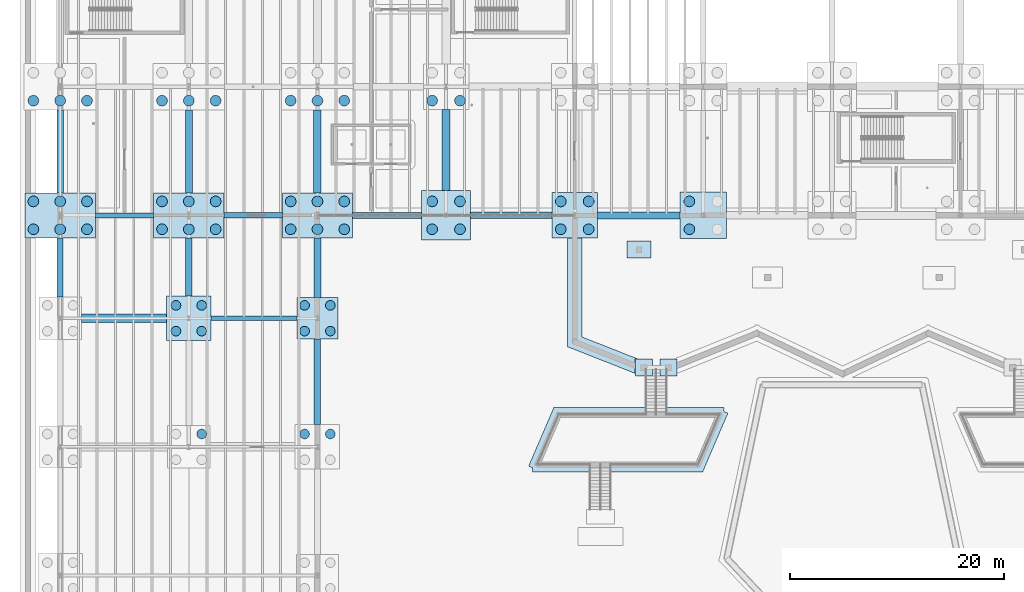
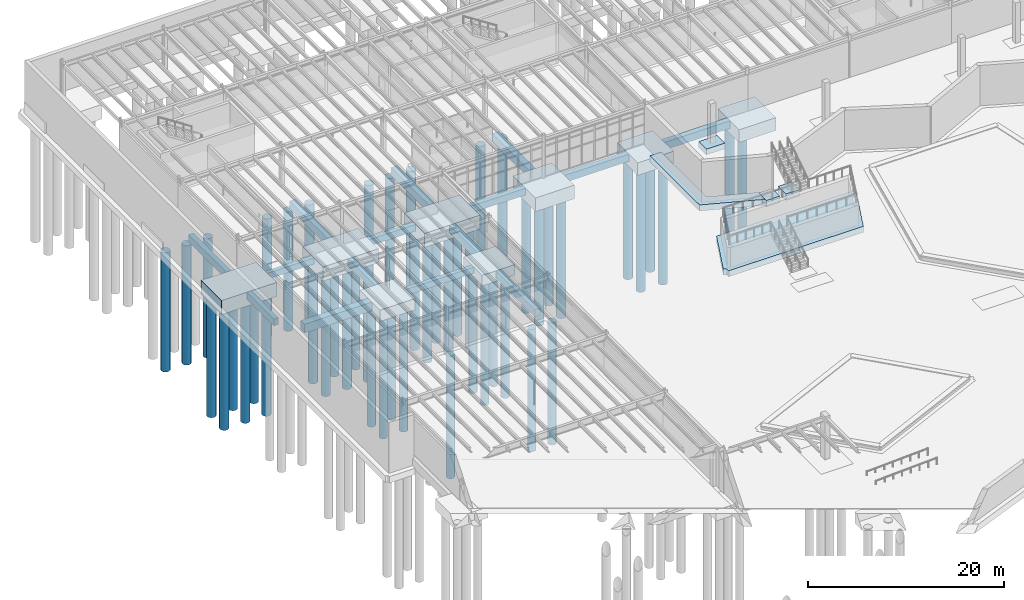
# One storey, part 3 of 67: 50 piles, 28 footings.
"""IFC4 building model written with IfcOpenShell, lengths in metres."""

from ifc_helpers import new_model, si_unit, direction, frame, origin, origin_2d, place, context, subcontext, project, spatial, polyline, rectangle, circle, outline, extrude, material, material_profile, profile_set, type_object, element, save


model = new_model("IFC4")

# Units and contexts
model_context = context("Model", 3, precision=1e-05, world=origin(), true_north=direction((0.0, 1.0)))
body_context = subcontext(model_context, "Body", "Model", "MODEL_VIEW")
ifc_project = project(units=[si_unit("LENGTHUNIT", "METRE"), si_unit("AREAUNIT", "SQUARE_METRE"), si_unit("VOLUMEUNIT", "CUBIC_METRE"), si_unit("PLANEANGLEUNIT", "RADIAN"), si_unit("MASSUNIT", "GRAM", prefix="KILO")], contexts=[model_context])

# Site, building, storey
site_placement = place(None, origin())
site = spatial("IfcSite", under=ifc_project, at=site_placement, CompositionType="ELEMENT")
building_placement = place(site_placement, origin())
building = spatial("IfcBuilding", under=site, at=building_placement, Name="Zlatogorsky Bluff Art Gallery", CompositionType="ELEMENT")
storey_placement = place(building_placement, frame((0.0, 0.0, -5.39990234375)))
storey = spatial("IfcBuildingStorey", under=building, at=storey_placement, Name="B1", CompositionType="ELEMENT", Elevation=-5.39990234375)

# Piles
ifc_material = material(Name="Concrete C35/45", Category="concrete")
ifc_material_profile_1 = material_profile(ifc_material, circle(Radius=0.5, at=origin_2d()), Name="BORED PILE D1000")
ifc_profile_set_1 = profile_set([ifc_material_profile_1], Name="Concrete C35/45")
pile_type_1 = type_object("IfcPileType", Name="Bored Pile D1000 C35/45", PredefinedType="BORED", material=ifc_profile_set_1)
for number, where, z_axis, x_axis, name in (
    (1, (-2.5, 82.699951171875, -2.050048828125), (0.0, 0.0, -1.0), (1.0, 0.0, 0.0), "Bored pile PL-02 00.08.1"),
    (2, (0.0, 82.699951171875, -2.050048828125), (0.0, 0.0, -1.0), (1.0, 0.0, 0.0), "Bored pile PL-02 00.08.2"),
    (3, (2.5, 82.699951171875, -2.050048828125), (0.0, 0.0, -1.0), (1.0, 0.0, 0.0), "Bored pile PL-02 00.08.3"),
    (4, (-2.5, 85.300048828125, -2.050048828125), (0.0, 0.0, -1.0), (1.0, 0.0, 0.0), "Bored pile PL-02 00.08.4"),
    (5, (0.0, 85.300048828125, -2.050048828125), (0.0, 0.0, -1.0), (1.0, 0.0, 0.0), "Bored pile PL-02 00.08.5"),
    (6, (2.5, 85.300048828125, -2.050048828125), (0.0, 0.0, -1.0), (1.0, 0.0, 0.0), "Bored pile PL-02 00.08.6"),
):
    element("IfcPile", number, at=place(storey_placement, frame(where, z_axis=z_axis, x_axis=x_axis)), inside=storey, type_object=pile_type_1, Name=name, PredefinedType="BORED", context=body_context, shape_type="SweptSolid", body=[
        extrude(circle(Radius=0.5, at=origin_2d()), origin(), (0.0, 0.0, 1.0), 14.949951171875),
    ])
for number, where, z_axis, x_axis, name in (
    (7, (-2.5, 94.699951171875, -2.10009765625), (0.0, 0.0, -1.0), (1.0, 0.0, 0.0), "Bored pile PL-02 00.09.1"),
    (8, (0.0, 94.699951171875, -2.10009765625), (0.0, 0.0, -1.0), (1.0, 0.0, 0.0), "Bored pile PL-02 00.09.2"),
    (9, (2.5, 94.699951171875, -2.10009765625), (0.0, 0.0, -1.0), (1.0, 0.0, 0.0), "Bored pile PL-02 00.09.3"),
):
    element("IfcPile", number, at=place(storey_placement, frame(where, z_axis=z_axis, x_axis=x_axis)), inside=storey, type_object=pile_type_1, Name=name, PredefinedType="BORED", context=body_context, shape_type="SweptSolid", body=[
        extrude(circle(Radius=0.5, at=origin_2d()), origin(), (0.0, 0.0, 1.0), 14.89990234375),
    ])
for number, where, z_axis, x_axis, name in (
    (10, (9.5, 82.699951171875, -2.050048828125), (0.0, 0.0, -1.0), (1.0, 0.0, 0.0), "Bored pile PL-02 01.08.1"),
    (11, (12.0, 82.699951171875, -2.050048828125), (0.0, 0.0, -1.0), (1.0, 0.0, 0.0), "Bored pile PL-02 01.08.2"),
    (12, (14.5, 82.699951171875, -2.050048828125), (0.0, 0.0, -1.0), (1.0, 0.0, 0.0), "Bored pile PL-02 01.08.3"),
    (13, (9.5, 85.300048828125, -2.050048828125), (0.0, 0.0, -1.0), (1.0, 0.0, 0.0), "Bored pile PL-02 01.08.4"),
    (14, (12.0, 85.300048828125, -2.050048828125), (0.0, 0.0, -1.0), (1.0, 0.0, 0.0), "Bored pile PL-02 01.08.5"),
    (15, (14.5, 85.300048828125, -2.050048828125), (0.0, 0.0, -1.0), (1.0, 0.0, 0.0), "Bored pile PL-02 01.08.6"),
):
    element("IfcPile", number, at=place(storey_placement, frame(where, z_axis=z_axis, x_axis=x_axis)), inside=storey, type_object=pile_type_1, Name=name, PredefinedType="BORED", context=body_context, shape_type="SweptSolid", body=[
        extrude(circle(Radius=0.5, at=origin_2d()), origin(), (0.0, 0.0, 1.0), 14.949951171875),
    ])
for number, where, z_axis, x_axis, name in (
    (16, (9.5, 94.699951171875, -2.10009765625), (0.0, 0.0, -1.0), (1.0, 0.0, 0.0), "Bored pile PL-02 01.09.1"),
    (17, (12.0, 94.699951171875, -2.10009765625), (0.0, 0.0, -1.0), (1.0, 0.0, 0.0), "Bored pile PL-02 01.09.2"),
    (18, (14.5, 94.699951171875, -2.10009765625), (0.0, 0.0, -1.0), (1.0, 0.0, 0.0), "Bored pile PL-02 01.09.3"),
):
    element("IfcPile", number, at=place(storey_placement, frame(where, z_axis=z_axis, x_axis=x_axis)), inside=storey, type_object=pile_type_1, Name=name, PredefinedType="BORED", context=body_context, shape_type="SweptSolid", body=[
        extrude(circle(Radius=0.5, at=origin_2d()), origin(), (0.0, 0.0, 1.0), 14.89990234375),
    ])
for number, where, z_axis, x_axis, name in (
    (19, (21.5, 82.699951171875, -2.050048828125), (0.0, 0.0, -1.0), (1.0, 0.0, 0.0), "Bored pile PL-02 02.08.1"),
    (20, (24.0, 82.699951171875, -2.050048828125), (0.0, 0.0, -1.0), (1.0, 0.0, 0.0), "Bored pile PL-02 02.08.2"),
    (21, (26.5, 82.699951171875, -2.050048828125), (0.0, 0.0, -1.0), (1.0, 0.0, 0.0), "Bored pile PL-02 02.08.3"),
    (22, (21.5, 85.300048828125, -2.050048828125), (0.0, 0.0, -1.0), (1.0, 0.0, 0.0), "Bored pile PL-02 02.08.4"),
    (23, (24.0, 85.300048828125, -2.050048828125), (0.0, 0.0, -1.0), (1.0, 0.0, 0.0), "Bored pile PL-02 02.08.5"),
    (24, (26.5, 85.300048828125, -2.050048828125), (0.0, 0.0, -1.0), (1.0, 0.0, 0.0), "Bored pile PL-02 02.08.6"),
):
    element("IfcPile", number, at=place(storey_placement, frame(where, z_axis=z_axis, x_axis=x_axis)), inside=storey, type_object=pile_type_1, Name=name, PredefinedType="BORED", context=body_context, shape_type="SweptSolid", body=[
        extrude(circle(Radius=0.5, at=origin_2d()), origin(), (0.0, 0.0, 1.0), 14.949951171875),
    ])
for number, where, z_axis, x_axis, name in (
    (25, (21.5, 94.699951171875, -2.10009765625), (0.0, 0.0, -1.0), (1.0, 0.0, 0.0), "Bored pile PL-02 02.09.1"),
    (26, (24.0, 94.699951171875, -2.10009765625), (0.0, 0.0, -1.0), (1.0, 0.0, 0.0), "Bored pile PL-02 02.09.2"),
    (27, (26.5, 94.699951171875, -2.10009765625), (0.0, 0.0, -1.0), (1.0, 0.0, 0.0), "Bored pile PL-02 02.09.3"),
):
    element("IfcPile", number, at=place(storey_placement, frame(where, z_axis=z_axis, x_axis=x_axis)), inside=storey, type_object=pile_type_1, Name=name, PredefinedType="BORED", context=body_context, shape_type="SweptSolid", body=[
        extrude(circle(Radius=0.5, at=origin_2d()), origin(), (0.0, 0.0, 1.0), 14.89990234375),
    ])
for number, where, z_axis, x_axis, name in (
    (28, (34.699951171875, 82.699951171875, -2.0), (0.0, 0.0, -1.0), (1.0, 0.0, 0.0), "Bored pile PL-02 03.08.1"),
    (29, (34.699951171875, 85.300048828125, -2.0), (0.0, 0.0, -1.0), (1.0, 0.0, 0.0), "Bored pile PL-02 03.08.2"),
    (30, (37.300048828125, 82.699951171875, -2.0), (0.0, 0.0, -1.0), (1.0, 0.0, 0.0), "Bored pile PL-02 03.08.3"),
    (31, (37.300048828125, 85.300048828125, -2.0), (0.0, 0.0, -1.0), (1.0, 0.0, 0.0), "Bored pile PL-02 03.08.4"),
):
    element("IfcPile", number, at=place(storey_placement, frame(where, z_axis=z_axis, x_axis=x_axis)), inside=storey, type_object=pile_type_1, Name=name, PredefinedType="BORED", context=body_context, shape_type="SweptSolid", body=[
        extrude(circle(Radius=0.5, at=origin_2d()), origin(), (0.0, 0.0, 1.0), 15.0),
    ])
for number, where, z_axis, x_axis, name in (
    (32, (34.699951171875, 94.699951171875, -1.85009765625), (0.0, 0.0, -1.0), (1.0, 0.0, 0.0), "Bored pile PL-02 03.09.1"),
    (33, (37.300048828125, 94.699951171875, -1.85009765625), (0.0, 0.0, -1.0), (1.0, 0.0, 0.0), "Bored pile PL-02 03.09.3"),
    (34, (46.699951171875, 82.699951171875, -1.85009765625), (0.0, 0.0, -1.0), (1.0, 0.0, 0.0), "Bored pile PL-02 04.08.1"),
    (35, (46.699951171875, 85.300048828125, -1.85009765625), (0.0, 0.0, -1.0), (1.0, 0.0, 0.0), "Bored pile PL-02 04.08.2"),
    (36, (49.300048828125, 82.699951171875, -1.85009765625), (0.0, 0.0, -1.0), (1.0, 0.0, 0.0), "Bored pile PL-02 04.08.3"),
    (37, (49.300048828125, 85.300048828125, -1.85009765625), (0.0, 0.0, -1.0), (1.0, 0.0, 0.0), "Bored pile PL-02 04.08.4"),
):
    element("IfcPile", number, at=place(storey_placement, frame(where, z_axis=z_axis, x_axis=x_axis)), inside=storey, type_object=pile_type_1, Name=name, PredefinedType="BORED", context=body_context, shape_type="SweptSolid", body=[
        extrude(circle(Radius=0.5, at=origin_2d()), origin(), (0.0, 0.0, 1.0), 15.14990234375),
    ])
for number, where, z_axis, x_axis, name in (
    (38, (58.699951171875, 82.699951171875, -1.900146484375), (0.0, 0.0, -1.0), (1.0, 0.0, 0.0), "Bored pile PL-02 05.08.1"),
    (39, (58.699951171875, 85.300048828125, -1.900146484375), (0.0, 0.0, -1.0), (1.0, 0.0, 0.0), "Bored pile PL-02 05.08.2"),
):
    element("IfcPile", number, at=place(storey_placement, frame(where, z_axis=z_axis, x_axis=x_axis)), inside=storey, type_object=pile_type_1, Name=name, PredefinedType="BORED", context=body_context, shape_type="SweptSolid", body=[
        extrude(circle(Radius=0.5, at=origin_2d()), origin(), (0.0, 0.0, 1.0), 15.10009765625),
    ])
ifc_material_profile_2 = material_profile(ifc_material, circle(Radius=0.449951171875, at=origin_2d()), Name="BORED PILE D900")
ifc_profile_set_2 = profile_set([ifc_material_profile_2], Name="Concrete C35/45")
pile_type_2 = type_object("IfcPileType", Name="Bored Pile D900 C35/45", PredefinedType="BORED", material=ifc_profile_set_2)
pile_placement = place(storey_placement, frame((13.199951171875, 63.60009765625, -1.66015625), z_axis=(0.0, 0.0, -1.0), x_axis=(1.0, 0.0, 0.0)))
element("IfcPile", 40, at=pile_placement, inside=storey, type_object=pile_type_2, Name="Bored pile PL-01 01.06.4", PredefinedType="BORED", context=body_context, shape_type="SweptSolid", body=[
    extrude(circle(Radius=0.449951171875, at=origin_2d()), origin(), (0.0, 0.0, 1.0), 15.340087890625),
])
for number, where, z_axis, x_axis, name in (
    (41, (10.800048828125, 73.199951171875, -1.72021484375), (0.0, 0.0, -1.0), (1.0, 0.0, 0.0), "Bored pile PL-01 01.07.1"),
    (42, (10.800048828125, 75.60009765625, -1.72021484375), (0.0, 0.0, -1.0), (1.0, 0.0, 0.0), "Bored pile PL-01 01.07.2"),
    (43, (13.199951171875, 73.199951171875, -1.72021484375), (0.0, 0.0, -1.0), (1.0, 0.0, 0.0), "Bored pile PL-01 01.07.3"),
    (44, (13.199951171875, 75.60009765625, -1.72021484375), (0.0, 0.0, -1.0), (1.0, 0.0, 0.0), "Bored pile PL-01 01.07.4"),
    (45, (22.800048828125, 63.60009765625, -1.72021484375), (0.0, 0.0, -1.0), (1.0, 0.0, 0.0), "Bored pile PL-01 02.06.2"),
    (46, (25.199951171875, 63.60009765625, -1.72021484375), (0.0, 0.0, -1.0), (1.0, 0.0, 0.0), "Bored pile PL-01 02.06.4"),
):
    element("IfcPile", number, at=place(storey_placement, frame(where, z_axis=z_axis, x_axis=x_axis)), inside=storey, type_object=pile_type_2, Name=name, PredefinedType="BORED", context=body_context, shape_type="SweptSolid", body=[
        extrude(circle(Radius=0.449951171875, at=origin_2d()), origin(), (0.0, 0.0, 1.0), 15.280029296875),
    ])
for number, where, z_axis, x_axis, name in (
    (47, (22.800048828125, 73.199951171875, -1.6201171875), (0.0, 0.0, -1.0), (1.0, 0.0, 0.0), "Bored pile PL-01 02.07.1"),
    (48, (22.800048828125, 75.60009765625, -1.6201171875), (0.0, 0.0, -1.0), (1.0, 0.0, 0.0), "Bored pile PL-01 02.07.2"),
    (49, (25.199951171875, 73.199951171875, -1.6201171875), (0.0, 0.0, -1.0), (1.0, 0.0, 0.0), "Bored pile PL-01 02.07.3"),
    (50, (25.199951171875, 75.60009765625, -1.6201171875), (0.0, 0.0, -1.0), (1.0, 0.0, 0.0), "Bored pile PL-01 02.07.4"),
):
    element("IfcPile", number, at=place(storey_placement, frame(where, z_axis=z_axis, x_axis=x_axis)), inside=storey, type_object=pile_type_2, Name=name, PredefinedType="BORED", context=body_context, shape_type="SweptSolid", body=[
        extrude(circle(Radius=0.449951171875, at=origin_2d()), origin(), (0.0, 0.0, 1.0), 15.3798828125),
    ])

# Footings
footing_type_1 = type_object("IfcFootingType", Name="Foundation FB-01 450x750", PredefinedType="FOOTING_BEAM", material=ifc_material)
footing_1_placement = place(storey_placement, frame((0.0, 0.0, -1.150146484375)))
element("IfcFooting", 51, at=footing_1_placement, inside=storey, type_object=footing_type_1, Name="Ground tie beam FB-01 A-B/9", PredefinedType="FOOTING_BEAM", context=body_context, shape_type="SweptSolid", body=[
    extrude(outline(polyline([(3.27490234375, 83.77490234375), (8.72509765625, 83.77490234375), (8.72509765625, 84.22509765625), (3.27490234375, 84.22509765625), (3.27490234375, 83.77490234375)])), origin(), (0.0, 0.0, 1.0), 0.75),
])
footing_2_placement = place(storey_placement, frame((0.0, 0.0, -1.150146484375)))
element("IfcFooting", 52, at=footing_2_placement, inside=storey, type_object=footing_type_1, Name="Ground tie beam FB-01 B-C/8", PredefinedType="FOOTING_BEAM", context=body_context, shape_type="SweptSolid", body=[
    extrude(outline(polyline([(14.074951171875, 74.175048828125), (22.074951171875, 74.175048828125), (22.074951171875, 74.625), (14.074951171875, 74.625), (14.074951171875, 74.175048828125)])), origin(), (0.0, 0.0, 1.0), 0.75),
])
footing_type_2 = type_object("IfcFootingType", Name="Foundation FB-02 500x800", PredefinedType="FOOTING_BEAM", material=ifc_material)
footing_3_placement = place(storey_placement, frame((0.0, 0.0, -1.2001953125)))
element("IfcFooting", 53, at=footing_3_placement, inside=storey, type_object=footing_type_2, Name="Ground tie beam FB-02 B-C/9", PredefinedType="FOOTING_BEAM", context=body_context, shape_type="SweptSolid", body=[
    extrude(outline(polyline([(15.27490234375, 83.75), (20.72509765625, 83.75), (20.72509765625, 84.25), (15.27490234375, 84.25), (15.27490234375, 83.75)])), origin(), (0.0, 0.0, 1.0), 0.800048828125),
])
footing_type_3 = type_object("IfcFootingType", Name="Foundation FB-03 550x850", PredefinedType="FOOTING_BEAM", material=ifc_material)
footing_4_placement = place(storey_placement, frame((0.0, 0.0, -1.25)))
element("IfcFooting", 54, at=footing_4_placement, inside=storey, type_object=footing_type_3, Name="Ground tie beam FB-03 A/8-9", PredefinedType="FOOTING_BEAM", context=body_context, shape_type="SweptSolid", body=[
    extrude(outline(polyline([(-0.27490234375, 76.375), (0.27490234375, 76.375), (0.27490234375, 81.89990234375), (-0.27490234375, 81.89990234375), (-0.27490234375, 76.375)])), origin(), (0.0, 0.0, 1.0), 0.849853515625),
])
footing_5_placement = place(storey_placement, frame((0.0, 0.0, -1.25)))
element("IfcFooting", 55, at=footing_5_placement, inside=storey, type_object=footing_type_3, Name="Ground tie beam FB-03 C-D/9", PredefinedType="FOOTING_BEAM", context=body_context, shape_type="SweptSolid", body=[
    extrude(outline(polyline([(27.27490234375, 83.72509765625), (33.699951171875, 83.72509765625), (33.699951171875, 84.27490234375), (27.27490234375, 84.27490234375), (27.27490234375, 83.72509765625)])), origin(), (0.0, 0.0, 1.0), 0.849853515625),
])
footing_type_4 = type_object("IfcFootingType", Name="Foundation FB-04 600x900", PredefinedType="FOOTING_BEAM", material=ifc_material)
footing_6_placement = place(storey_placement, frame((0.0, 0.0, -1.300048828125)))
element("IfcFooting", 56, at=footing_6_placement, inside=storey, type_object=footing_type_4, Name="Ground tie beam FB-04 A/9-10", PredefinedType="FOOTING_BEAM", context=body_context, shape_type="SweptSolid", body=[
    extrude(outline(polyline([(-0.300048828125, 86.10009765625), (0.300048828125, 86.10009765625), (0.300048828125, 93.824951171875), (-0.300048828125, 93.824951171875), (-0.300048828125, 86.10009765625)])), origin(), (0.0, 0.0, 1.0), 0.89990234375),
])
footing_7_placement = place(storey_placement, frame((0.0, 0.0, -1.300048828125)))
element("IfcFooting", 57, at=footing_7_placement, inside=storey, type_object=footing_type_4, Name="Ground tie beam FB-04 B/8-9", PredefinedType="FOOTING_BEAM", context=body_context, shape_type="SweptSolid", body=[
    extrude(outline(polyline([(11.699951171875, 76.47509765625), (12.300048828125, 76.47509765625), (12.300048828125, 81.89990234375), (11.699951171875, 81.89990234375), (11.699951171875, 76.47509765625)])), origin(), (0.0, 0.0, 1.0), 0.89990234375),
])
footing_8_placement = place(storey_placement, frame((0.0, 0.0, -1.300048828125)))
element("IfcFooting", 58, at=footing_8_placement, inside=storey, type_object=footing_type_4, Name="Ground tie beam FB-04 C/7-8", PredefinedType="FOOTING_BEAM", context=body_context, shape_type="SweptSolid", body=[
    extrude(outline(polyline([(23.699951171875, 64.47509765625), (24.300048828125, 64.47509765625), (24.300048828125, 72.47509765625), (23.699951171875, 72.47509765625), (23.699951171875, 64.47509765625)])), origin(), (0.0, 0.0, 1.0), 0.89990234375),
])
footing_9_placement = place(storey_placement, frame((0.0, 0.0, -1.300048828125)))
element("IfcFooting", 59, at=footing_9_placement, inside=storey, type_object=footing_type_4, Name="Ground tie beam FB-04 D-E/9", PredefinedType="FOOTING_BEAM", context=body_context, shape_type="SweptSolid", body=[
    extrude(outline(polyline([(38.300048828125, 83.699951171875), (45.875, 83.699951171875), (45.875, 84.300048828125), (38.300048828125, 84.300048828125), (38.300048828125, 83.699951171875)])), origin(), (0.0, 0.0, 1.0), 0.89990234375),
])
footing_type_5 = type_object("IfcFootingType", Name="Foundation FB-05 650x950", PredefinedType="FOOTING_BEAM", material=ifc_material)
footing_10_placement = place(storey_placement, frame((0.0, 0.0, -1.35009765625)))
element("IfcFooting", 60, at=footing_10_placement, inside=storey, type_object=footing_type_5, Name="Ground tie beam FB-05 B/9-10", PredefinedType="FOOTING_BEAM", context=body_context, shape_type="SweptSolid", body=[
    extrude(outline(polyline([(11.675048828125, 86.10009765625), (12.324951171875, 86.10009765625), (12.324951171875, 93.824951171875), (11.675048828125, 93.824951171875), (11.675048828125, 86.10009765625)])), origin(), (0.0, 0.0, 1.0), 0.949951171875),
])
footing_11_placement = place(storey_placement, frame((0.0, 0.0, -1.35009765625)))
element("IfcFooting", 61, at=footing_11_placement, inside=storey, type_object=footing_type_5, Name="Ground tie beam FB-05 C/8-9", PredefinedType="FOOTING_BEAM", context=body_context, shape_type="SweptSolid", body=[
    extrude(outline(polyline([(23.675048828125, 76.324951171875), (24.324951171875, 76.324951171875), (24.324951171875, 81.89990234375), (23.675048828125, 81.89990234375), (23.675048828125, 76.324951171875)])), origin(), (0.0, 0.0, 1.0), 0.949951171875),
])
footing_12_placement = place(storey_placement, frame((0.0, 0.0, -1.35009765625)))
element("IfcFooting", 62, at=footing_12_placement, inside=storey, type_object=footing_type_5, Name="Ground tie beam FB-05 E-F/9", PredefinedType="FOOTING_BEAM", context=body_context, shape_type="SweptSolid", body=[
    extrude(outline(polyline([(50.125, 83.675048828125), (57.824951171875, 83.675048828125), (57.824951171875, 84.324951171875), (50.125, 84.324951171875), (50.125, 83.675048828125)])), origin(), (0.0, 0.0, 1.0), 0.949951171875),
])
footing_type_6 = type_object("IfcFootingType", Name="Foundation FB-06 700x1000", PredefinedType="FOOTING_BEAM", material=ifc_material)
footing_13_placement = place(storey_placement, frame((0.0, 0.0, -1.400146484375)))
element("IfcFooting", 63, at=footing_13_placement, inside=storey, type_object=footing_type_6, Name="Ground tie beam FB-06 C/9-10", PredefinedType="FOOTING_BEAM", context=body_context, shape_type="SweptSolid", body=[
    extrude(outline(polyline([(23.64990234375, 86.10009765625), (24.35009765625, 86.10009765625), (24.35009765625, 93.824951171875), (23.64990234375, 93.824951171875), (23.64990234375, 86.10009765625)])), origin(), (0.0, 0.0, 1.0), 1.0),
])
footing_type_7 = type_object("IfcFootingType", Name="Foundation FB-07 750x1050", PredefinedType="FOOTING_BEAM", material=ifc_material)
footing_14_placement = place(storey_placement, frame((0.0, 0.0, -1.4501953125)))
element("IfcFooting", 64, at=footing_14_placement, inside=storey, type_object=footing_type_7, Name="Ground tie beam FB-07 D/9-10", PredefinedType="FOOTING_BEAM", context=body_context, shape_type="SweptSolid", body=[
    extrude(outline(polyline([(35.625, 86.300048828125), (36.375, 86.300048828125), (36.375, 93.875), (35.625, 93.875), (35.625, 86.300048828125)])), origin(), (0.0, 0.0, 1.0), 1.050048828125),
])
footing_type_8 = type_object("IfcFootingType", Name="Foundation FB-08 800x1100", PredefinedType="FOOTING_BEAM", material=ifc_material)
footing_15_placement = place(storey_placement, frame((0.0, 0.0, -1.5)))
element("IfcFooting", 65, at=footing_15_placement, inside=storey, type_object=footing_type_8, Name="Ground tie beam FB-08 A-B/8", PredefinedType="FOOTING_BEAM", context=body_context, shape_type="SweptSolid", body=[
    extrude(outline(polyline([(1.97509765625, 74.0), (9.925048828125, 74.0), (9.925048828125, 74.800048828125), (1.97509765625, 74.800048828125), (1.97509765625, 74.0)])), origin(), (0.0, 0.0, 1.0), 1.099853515625),
])
footing_type_9 = type_object("IfcFootingType", Name="Foundation SF-04 1350x750", PredefinedType="STRIP_FOOTING", material=ifc_material)
footing_16_placement = place(storey_placement, frame((0.0, 0.0, -0.75)))
element("IfcFooting", 66, at=footing_16_placement, inside=storey, type_object=footing_type_9, Name="Stepped bluff terrace strip footing SF-04 08", PredefinedType="STRIP_FOOTING", context=body_context, shape_type="SweptSolid", body=[
    extrude(outline(polyline([(59.930419921875, 60.074951171875), (44.944580078125, 60.074951171875), (44.9423828125, 60.06982421875), (44.930419921875, 60.074951171875), (44.050048828125, 60.074951171875), (44.050048828125, 60.45361328125), (43.7021484375, 60.603271484375), (44.050048828125, 61.412109375), (44.050048828125, 61.425048828125), (44.055419921875, 61.425048828125), (46.050048828125, 66.06201171875), (46.050048828125, 66.074951171875), (46.055419921875, 66.074951171875), (46.0576171875, 66.080078125), (46.069580078125, 66.074951171875), (61.055419921875, 66.074951171875), (61.0576171875, 66.080078125), (61.069580078125, 66.074951171875), (61.949951171875, 66.074951171875), (61.949951171875, 65.6962890625), (62.2978515625, 65.546630859375), (61.949951171875, 64.73779296875), (61.949951171875, 64.72509765625), (61.944580078125, 64.72509765625), (59.949951171875, 60.087890625), (59.949951171875, 60.074951171875), (59.944580078125, 60.074951171875), (59.9423828125, 60.06982421875), (59.930419921875, 60.074951171875)])), origin(), (0.0, 0.0, 1.0), 0.75),
])
footing_17_placement = place(storey_placement, frame((0.0, 0.0, -0.75)))
element("IfcFooting", 67, at=footing_17_placement, inside=storey, type_object=footing_type_9, Name="Stepped bluff terrace strip footing SF-04 09", PredefinedType="STRIP_FOOTING", context=body_context, shape_type="SweptSolid", body=[
    extrude(outline(polyline([(47.324951171875, 71.75), (47.324951171875, 81.8701171875), (48.675048828125, 81.8701171875), (48.675048828125, 72.65966796875), (53.890380859375, 70.60498046875), (53.64990234375, 70.60498046875), (53.6494140625, 70.60498046875), (53.64892578125, 70.60498046875), (53.6484375, 70.604736328125), (53.648193359375, 70.604736328125), (53.647705078125, 70.6044921875), (53.647216796875, 70.604248046875), (53.646728515625, 70.603759765625), (53.646484375, 70.603515625), (53.646240234375, 70.603271484375), (53.645751953125, 70.602783203125), (53.6455078125, 70.602294921875), (53.645263671875, 70.601806640625), (53.645263671875, 70.6015625), (53.64501953125, 70.60107421875), (53.64501953125, 70.6005859375), (53.64501953125, 70.60009765625), (53.64501953125, 69.250732421875), (47.333984375, 71.73681640625), (47.339111328125, 71.75), (47.324951171875, 71.75)])), origin(), (0.0, 0.0, 1.0), 0.75),
])
footing_type_10 = type_object("IfcFootingType", Name="Pad Footing PF-09 2200x1600x700", PredefinedType="PAD_FOOTING", material=ifc_material)
footing_18_placement = place(storey_placement, frame((54.0, 80.800048828125, -0.7001953125), z_axis=(0.0, 0.0, 1.0), x_axis=(1.0, 0.0, 0.0)))
element("IfcFooting", 68, at=footing_18_placement, inside=storey, type_object=footing_type_10, Name="Pad footing PF-09", PredefinedType="PAD_FOOTING", context=body_context, shape_type="SweptSolid", body=[
    extrude(rectangle(XDim=2.199951171875, YDim=1.60009765625, at=origin_2d()), origin(), (0.0, 0.0, 1.0), 0.699951171875),
])
footing_19_placement = place(storey_placement, frame((0.0, 0.0, -0.800048828125)))
element("IfcFooting", 69, at=footing_19_placement, inside=storey, type_object=footing_type_10, Name="Amphitheatre stair bearing pad PAD-AMP-1-HW", PredefinedType="PAD_FOOTING", context=body_context, shape_type="SweptSolid", body=[
    extrude(outline(polyline([(53.64990234375, 69.0), (55.25, 69.0), (55.25, 70.60009765625), (53.64990234375, 70.60009765625), (53.64990234375, 69.0)])), origin(), (0.0, 0.0, 1.0), 0.800048828125),
])
footing_20_placement = place(storey_placement, frame((0.0, 0.0, -0.800048828125)))
element("IfcFooting", 70, at=footing_20_placement, inside=storey, type_object=footing_type_10, Name="Amphitheatre stair bearing pad PAD-AMP-1-HE", PredefinedType="PAD_FOOTING", context=body_context, shape_type="SweptSolid", body=[
    extrude(outline(polyline([(55.949951171875, 69.0), (57.550048828125, 69.0), (57.550048828125, 70.60009765625), (55.949951171875, 70.60009765625), (55.949951171875, 69.0)])), origin(), (0.0, 0.0, 1.0), 0.800048828125),
])
footing_type_11 = type_object("IfcFootingType", Name="Pile Cap PC-05 4250x4250x1550", PredefinedType="PILE_CAP", material=ifc_material)
footing_21_placement = place(storey_placement, frame((48.0, 84.0, -1.9501953125), z_axis=(0.0, 0.0, 1.0), x_axis=(1.0, 0.0, 0.0)))
element("IfcFooting", 71, at=footing_21_placement, inside=storey, type_object=footing_type_11, Name="Pile cap PC-05 at E9", PredefinedType="PILE_CAP", context=body_context, shape_type="SweptSolid", body=[
    extrude(rectangle(XDim=4.25, YDim=4.25, at=origin_2d()), origin(), (0.0, 0.0, 1.0), 1.550048828125),
])
footing_type_12 = type_object("IfcFootingType", Name="Pile Cap PC-06 4350x4350x1600", PredefinedType="PILE_CAP", material=ifc_material)
footing_22_placement = place(storey_placement, frame((60.0, 84.0, -2.000244140625), z_axis=(0.0, 0.0, 1.0), x_axis=(1.0, 0.0, 0.0)))
element("IfcFooting", 72, at=footing_22_placement, inside=storey, type_object=footing_type_12, Name="Pile cap PC-06 at F9", PredefinedType="PILE_CAP", context=body_context, shape_type="SweptSolid", body=[
    extrude(rectangle(XDim=4.35009765625, YDim=4.35009765625, at=origin_2d()), origin(), (0.0, 0.0, 1.0), 1.60009765625),
])
footing_type_13 = type_object("IfcFootingType", Name="Pile Cap PC-08 4600x4600x1700", PredefinedType="PILE_CAP", material=ifc_material)
footing_23_placement = place(storey_placement, frame((36.0, 84.0, -2.10009765625), z_axis=(0.0, 0.0, 1.0), x_axis=(1.0, 0.0, 0.0)))
element("IfcFooting", 73, at=footing_23_placement, inside=storey, type_object=footing_type_13, Name="Pile cap PC-08 at D9", PredefinedType="PILE_CAP", context=body_context, shape_type="SweptSolid", body=[
    extrude(rectangle(XDim=4.60009765625, YDim=4.60009765625, at=origin_2d()), origin(), (0.0, 0.0, 1.0), 1.699951171875),
])
footing_type_14 = type_object("IfcFootingType", Name="Pile Cap PC-09 3850x3850x1320", PredefinedType="PILE_CAP", material=ifc_material)
footing_24_placement = place(storey_placement, frame((24.0, 74.39990234375, -1.72021484375), z_axis=(0.0, 0.0, 1.0), x_axis=(1.0, 0.0, 0.0)))
element("IfcFooting", 74, at=footing_24_placement, inside=storey, type_object=footing_type_14, Name="Pile cap PC-09 at C8", PredefinedType="PILE_CAP", context=body_context, shape_type="SweptSolid", body=[
    extrude(rectangle(XDim=3.85009765625, YDim=3.85009765625, at=origin_2d()), origin(), (0.0, 0.0, 1.0), 1.320068359375),
])
footing_type_15 = type_object("IfcFootingType", Name="Pile Cap PC-11 4150x4150x1420", PredefinedType="PILE_CAP", material=ifc_material)
footing_25_placement = place(storey_placement, frame((12.0, 74.39990234375, -1.820068359375), z_axis=(0.0, 0.0, 1.0), x_axis=(1.0, 0.0, 0.0)))
element("IfcFooting", 75, at=footing_25_placement, inside=storey, type_object=footing_type_15, Name="Pile cap PC-11 at B8", PredefinedType="PILE_CAP", context=body_context, shape_type="SweptSolid", body=[
    extrude(rectangle(XDim=4.14990234375, YDim=4.14990234375, at=origin_2d()), origin(), (0.0, 0.0, 1.0), 1.419921875),
])
footing_type_16 = type_object("IfcFootingType", Name="Pile Cap PC-16 6550x4200x1750", PredefinedType="PILE_CAP", material=ifc_material)
for number, where, z_axis, x_axis, name in (
    (76, (0.0, 84.0, -2.150146484375), (0.0, 0.0, 1.0), (1.0, 0.0, 0.0), "Pile cap PC-16 at A9"),
    (77, (12.0, 84.0, -2.150146484375), (0.0, 0.0, 1.0), (1.0, 0.0, 0.0), "Pile cap PC-16 at B9"),
    (78, (24.0, 84.0, -2.150146484375), (0.0, 0.0, 1.0), (1.0, 0.0, 0.0), "Pile cap PC-16 at C9"),
):
    element("IfcFooting", number, at=place(storey_placement, frame(where, z_axis=z_axis, x_axis=x_axis)), inside=storey, type_object=footing_type_16, Name=name, PredefinedType="PILE_CAP", context=body_context, shape_type="SweptSolid", body=[
        extrude(rectangle(XDim=6.550048828125, YDim=4.199951171875, at=origin_2d()), origin(), (0.0, 0.0, 1.0), 1.75),
    ])

save(model, "model.ifc")
